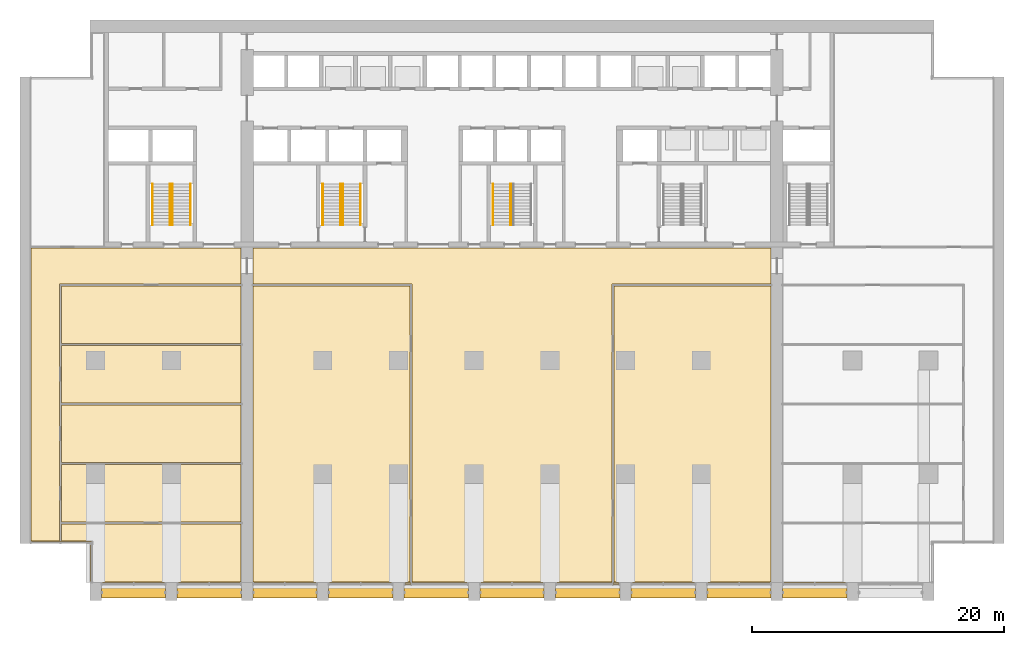
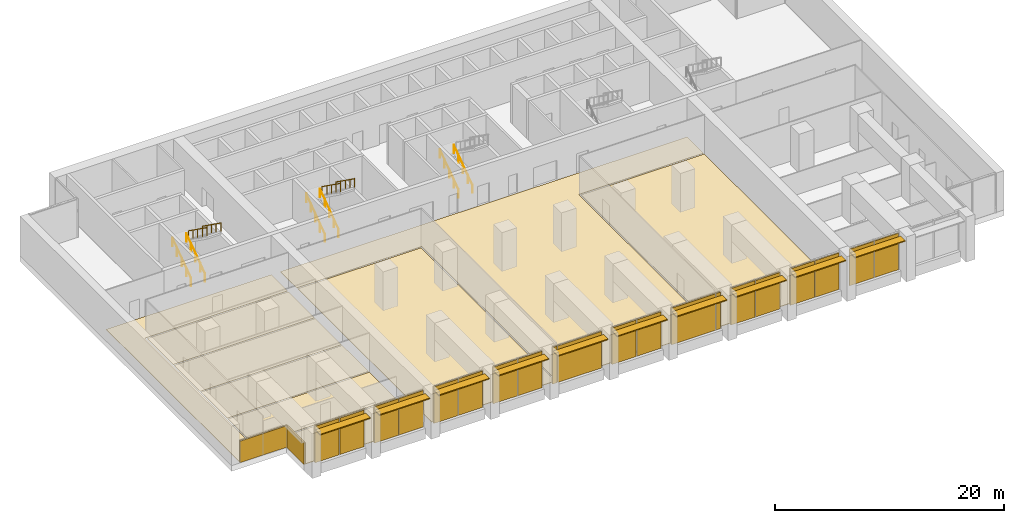
# One storey, part 16 of 18: 32 shading devices, 10 railings, 9 coverings, 15 elements without a shape of their own.
"""IFC4 building model written with IfcOpenShell, lengths in metres."""

from ifc_helpers import new_model, si_unit, direction, frame, origin, origin_2d, place, context, subcontext, project, spatial, polyline, rectangle, circle, outline, extrude, material, layer, layer_set, material_profile, profile_set, type_object, element, aggregate, save


model = new_model("IFC4")

# Units and contexts
model_context = context("Model", 3, precision=1e-05, world=origin(), true_north=direction((0.0, 1.0)))
body_context = subcontext(model_context, "Body", "Model", "MODEL_VIEW")
ifc_project = project(units=[si_unit("LENGTHUNIT", "METRE"), si_unit("AREAUNIT", "SQUARE_METRE"), si_unit("VOLUMEUNIT", "CUBIC_METRE"), si_unit("PLANEANGLEUNIT", "RADIAN"), si_unit("MASSUNIT", "GRAM", prefix="KILO")], contexts=[model_context])

# Site, building, storey
site_placement = place(None, origin())
site = spatial("IfcSite", under=ifc_project, at=site_placement, CompositionType="ELEMENT")
building_placement = place(site_placement, origin())
building = spatial("IfcBuilding", under=site, at=building_placement, Name="Calvaro Tower", CompositionType="ELEMENT")
storey_placement = place(building_placement, frame((0.0, 0.0, 90.0)))
storey = spatial("IfcBuildingStorey", under=building, at=storey_placement, Name="L22", CompositionType="ELEMENT", Elevation=90.0)

# Shading devices
ifc_material_1 = material(Name="Anodised aluminium", Category="aluminium")
ifc_material_profile = material_profile(ifc_material_1, rectangle(XDim=0.800048828125, YDim=0.10009765625, at=origin_2d()), Name="Brise-soleil blade 800 x 100")
ifc_profile_set = profile_set([ifc_material_profile], Name="Anodised aluminium")
shading_device_type_1 = type_object("IfcShadingDeviceType", Name="Brise-soleil blade 800 x 100", PredefinedType="JALOUSIE", material=ifc_profile_set)
for number, where, z_axis, x_axis, name in (
    (1, (6.449951171875, 0.60009765625, 3.64990234375), (1.0, 0.0, 0.0), (0.0, 1.0, 0.0), "Brise-soleil blade 1"),
    (2, (12.449951171875, 0.60009765625, 3.64990234375), (1.0, 0.0, 0.0), (0.0, 1.0, 0.0), "Brise-soleil blade 2"),
    (3, (18.449951171875, 0.60009765625, 3.64990234375), (1.0, 0.0, 0.0), (0.0, 1.0, 0.0), "Brise-soleil blade 3"),
    (4, (24.449951171875, 0.60009765625, 3.64990234375), (1.0, 0.0, 0.0), (0.0, 1.0, 0.0), "Brise-soleil blade 4"),
    (5, (30.449951171875, 0.60009765625, 3.64990234375), (1.0, 0.0, 0.0), (0.0, 1.0, 0.0), "Brise-soleil blade 5"),
    (6, (36.449951171875, 0.60009765625, 3.64990234375), (1.0, 0.0, 0.0), (0.0, 1.0, 0.0), "Brise-soleil blade 6"),
    (7, (42.449951171875, 0.60009765625, 3.64990234375), (1.0, 0.0, 0.0), (0.0, 1.0, 0.0), "Brise-soleil blade 7"),
    (8, (48.449951171875, 0.60009765625, 3.64990234375), (1.0, 0.0, 0.0), (0.0, 1.0, 0.0), "Brise-soleil blade 8"),
    (9, (54.449951171875, 0.60009765625, 3.64990234375), (1.0, 0.0, 0.0), (0.0, 1.0, 0.0), "Brise-soleil blade 9"),
    (10, (60.449951171875, 0.60009765625, 3.64990234375), (1.0, 0.0, 0.0), (0.0, 1.0, 0.0), "Brise-soleil blade 10"),
):
    element("IfcShadingDevice", number, at=place(storey_placement, frame(where, z_axis=z_axis, x_axis=x_axis)), inside=storey, type_object=shading_device_type_1, Name=name, PredefinedType="JALOUSIE", context=body_context, shape_type="SweptSolid", body=[
        extrude(rectangle(XDim=0.800048828125, YDim=0.10009765625, at=origin_2d()), origin(), (0.0, 0.0, 1.0), 5.10009765625),
    ])

# Coverings
ifc_material_2 = material(Name="Cement screed with carpet tile finish")
ifc_layer_1 = layer(ifc_material_2, 0.050048828125)
ifc_layer_set_1 = layer_set([ifc_layer_1], Name="Cement screed with carpet tile finish")
covering_type = type_object("IfcCoveringType", Name="Floor finish 50", PredefinedType="FLOORING", material=ifc_layer_set_1)
covering_1_placement = place(storey_placement, origin())
element("IfcCovering", 11, at=covering_1_placement, inside=storey, type_object=covering_type, Name="Floor finish 15.01", PredefinedType="FLOORING", context=body_context, shape_type="SweptSolid", body=[
    extrude(outline(polyline([(31.070068359375, 1.469970703125), (31.070068359375, 25.070068359375), (18.469970703125, 25.070068359375), (18.469970703125, 27.929931640625), (59.530029296875, 27.929931640625), (59.530029296875, 25.070068359375), (46.929931640625, 25.070068359375), (46.929931640625, 1.469970703125), (31.070068359375, 1.469970703125)])), origin(), (0.0, 0.0, 1.0), 0.050048828125),
])
covering_2_placement = place(storey_placement, origin())
element("IfcCovering", 12, at=covering_2_placement, inside=storey, type_object=covering_type, Name="Floor finish 15.09", PredefinedType="FLOORING", context=body_context, shape_type="SweptSolid", body=[
    extrude(outline(polyline([(18.469970703125, 24.929931640625), (30.929931640625, 24.929931640625), (30.929931640625, 1.469970703125), (18.469970703125, 1.469970703125), (18.469970703125, 24.929931640625)])), origin(), (0.0, 0.0, 1.0), 0.050048828125),
])
covering_3_placement = place(storey_placement, origin())
element("IfcCovering", 13, at=covering_3_placement, inside=storey, type_object=covering_type, Name="Floor finish 15.10", PredefinedType="FLOORING", context=body_context, shape_type="SweptSolid", body=[
    extrude(outline(polyline([(47.070068359375, 24.929931640625), (59.530029296875, 24.929931640625), (59.530029296875, 1.469970703125), (47.070068359375, 1.469970703125), (47.070068359375, 24.929931640625)])), origin(), (0.0, 0.0, 1.0), 0.050048828125),
])
covering_4_placement = place(storey_placement, origin())
element("IfcCovering", 14, at=covering_4_placement, inside=storey, type_object=covering_type, Name="Floor finish 15.02", PredefinedType="FLOORING", context=body_context, shape_type="SweptSolid", body=[
    extrude(outline(polyline([(0.8701171875, 27.929931640625), (17.530029296875, 27.929931640625), (17.530029296875, 25.070068359375), (3.1298828125, 25.070068359375), (3.1298828125, 4.570068359375), (0.8701171875, 4.570068359375), (0.8701171875, 27.929931640625)])), origin(), (0.0, 0.0, 1.0), 0.050048828125),
])
covering_5_placement = place(storey_placement, origin())
element("IfcCovering", 15, at=covering_5_placement, inside=storey, type_object=covering_type, Name="Floor finish 15.04", PredefinedType="FLOORING", context=body_context, shape_type="SweptSolid", body=[
    extrude(outline(polyline([(3.27001953125, 6.050048828125), (17.530029296875, 6.050048828125), (17.530029296875, 1.469970703125), (5.6201171875, 1.469970703125), (5.6201171875, 4.570068359375), (3.27001953125, 4.570068359375), (3.27001953125, 6.050048828125)])), origin(), (0.0, 0.0, 1.0), 0.050048828125),
])
covering_6_placement = place(storey_placement, origin())
element("IfcCovering", 16, at=covering_6_placement, inside=storey, type_object=covering_type, Name="Floor finish 15.06", PredefinedType="FLOORING", context=body_context, shape_type="SweptSolid", body=[
    extrude(outline(polyline([(3.27001953125, 6.18994140625), (3.27001953125, 10.77001953125), (17.530029296875, 10.77001953125), (17.530029296875, 6.18994140625), (3.27001953125, 6.18994140625)])), origin(), (0.0, 0.0, 1.0), 0.050048828125),
])
covering_7_placement = place(storey_placement, origin())
element("IfcCovering", 17, at=covering_7_placement, inside=storey, type_object=covering_type, Name="Floor finish 15.08", PredefinedType="FLOORING", context=body_context, shape_type="SweptSolid", body=[
    extrude(outline(polyline([(3.27001953125, 10.909912109375), (3.27001953125, 15.489990234375), (17.530029296875, 15.489990234375), (17.530029296875, 10.909912109375), (3.27001953125, 10.909912109375)])), origin(), (0.0, 0.0, 1.0), 0.050048828125),
])
covering_8_placement = place(storey_placement, origin())
element("IfcCovering", 18, at=covering_8_placement, inside=storey, type_object=covering_type, Name="Floor finish 15.12", PredefinedType="FLOORING", context=body_context, shape_type="SweptSolid", body=[
    extrude(outline(polyline([(3.27001953125, 15.6298828125), (3.27001953125, 20.2099609375), (17.530029296875, 20.2099609375), (17.530029296875, 15.6298828125), (3.27001953125, 15.6298828125)])), origin(), (0.0, 0.0, 1.0), 0.050048828125),
])
covering_9_placement = place(storey_placement, origin())
element("IfcCovering", 19, at=covering_9_placement, inside=storey, type_object=covering_type, Name="Floor finish 15.14", PredefinedType="FLOORING", context=body_context, shape_type="SweptSolid", body=[
    extrude(outline(polyline([(3.27001953125, 20.35009765625), (3.27001953125, 24.929931640625), (17.530029296875, 24.929931640625), (17.530029296875, 20.35009765625), (3.27001953125, 20.35009765625)])), origin(), (0.0, 0.0, 1.0), 0.050048828125),
])

# Curtain wall, shading devices
ifc_material_3 = material(Name="Anodised aluminium", Category="aluminium")
curtain_wall_type = type_object("IfcCurtainWallType", Name="Louvre wall", PredefinedType="NOTDEFINED", material=ifc_material_3)
curtain_wall_1_placement = place(storey_placement, origin())
curtain_wall_1 = element("IfcCurtainWall", 20, at=curtain_wall_1_placement, inside=storey, type_object=curtain_wall_type, Name="CW8 south louvre wall", PredefinedType="NOTDEFINED")
ifc_material_4 = material(Name="Aluminium", Category="aluminium")
ifc_layer_2 = layer(ifc_material_4, 0.14990234375)
ifc_layer_set_2 = layer_set([ifc_layer_2], Name="Aluminium")
shading_device_type_2 = type_object("IfcShadingDeviceType", Name="Louvre panel LV 150", PredefinedType="JALOUSIE", material=ifc_layer_set_2)
shading_device_1_placement = place(storey_placement, frame((7.7451171875, 1.300048828125, 0.0), z_axis=(0.0, 0.0, 1.0), x_axis=(1.0, 0.0, 0.0)))
shading_device_1 = element("IfcShadingDevice", 21, at=shading_device_1_placement, type_object=shading_device_type_2, Name="CW8 louvre panel 1.1", PredefinedType="JALOUSIE", context=body_context, shape_type="SweptSolid", body=[
    extrude(rectangle(XDim=2.429931640625, YDim=0.14990234375, at=origin_2d()), origin(), (0.0, 0.0, 1.0), 3.89990234375),
])
shading_device_2_placement = place(storey_placement, frame((10.2548828125, 1.300048828125, 0.0), z_axis=(0.0, 0.0, 1.0), x_axis=(1.0, 0.0, 0.0)))
shading_device_2 = element("IfcShadingDevice", 22, at=shading_device_2_placement, type_object=shading_device_type_2, Name="CW8 louvre panel 2.1", PredefinedType="JALOUSIE", context=body_context, shape_type="SweptSolid", body=[
    extrude(rectangle(XDim=2.429931640625, YDim=0.14990234375, at=origin_2d()), origin(), (0.0, 0.0, 1.0), 3.89990234375),
])
aggregate(curtain_wall_1, [shading_device_1, shading_device_2])

curtain_wall_2_placement = place(storey_placement, origin())
curtain_wall_2 = element("IfcCurtainWall", 23, at=curtain_wall_2_placement, inside=storey, type_object=curtain_wall_type, Name="CW8 south louvre wall", PredefinedType="NOTDEFINED")
shading_device_3_placement = place(storey_placement, frame((13.7451171875, 1.300048828125, 0.0), z_axis=(0.0, 0.0, 1.0), x_axis=(1.0, 0.0, 0.0)))
shading_device_3 = element("IfcShadingDevice", 24, at=shading_device_3_placement, type_object=shading_device_type_2, Name="CW8 louvre panel 1.1", PredefinedType="JALOUSIE", context=body_context, shape_type="SweptSolid", body=[
    extrude(rectangle(XDim=2.429931640625, YDim=0.14990234375, at=origin_2d()), origin(), (0.0, 0.0, 1.0), 3.89990234375),
])
shading_device_4_placement = place(storey_placement, frame((16.2548828125, 1.300048828125, 0.0), z_axis=(0.0, 0.0, 1.0), x_axis=(1.0, 0.0, 0.0)))
shading_device_4 = element("IfcShadingDevice", 25, at=shading_device_4_placement, type_object=shading_device_type_2, Name="CW8 louvre panel 2.1", PredefinedType="JALOUSIE", context=body_context, shape_type="SweptSolid", body=[
    extrude(rectangle(XDim=2.429931640625, YDim=0.14990234375, at=origin_2d()), origin(), (0.0, 0.0, 1.0), 3.89990234375),
])
aggregate(curtain_wall_2, [shading_device_3, shading_device_4])

curtain_wall_3_placement = place(storey_placement, origin())
curtain_wall_3 = element("IfcCurtainWall", 26, at=curtain_wall_3_placement, inside=storey, type_object=curtain_wall_type, Name="CW8 south louvre wall", PredefinedType="NOTDEFINED")
shading_device_5_placement = place(storey_placement, frame((19.7451171875, 1.300048828125, 0.0), z_axis=(0.0, 0.0, 1.0), x_axis=(1.0, 0.0, 0.0)))
shading_device_5 = element("IfcShadingDevice", 27, at=shading_device_5_placement, type_object=shading_device_type_2, Name="CW8 louvre panel 1.1", PredefinedType="JALOUSIE", context=body_context, shape_type="SweptSolid", body=[
    extrude(rectangle(XDim=2.429931640625, YDim=0.14990234375, at=origin_2d()), origin(), (0.0, 0.0, 1.0), 3.89990234375),
])
shading_device_6_placement = place(storey_placement, frame((22.2548828125, 1.300048828125, 0.0), z_axis=(0.0, 0.0, 1.0), x_axis=(1.0, 0.0, 0.0)))
shading_device_6 = element("IfcShadingDevice", 28, at=shading_device_6_placement, type_object=shading_device_type_2, Name="CW8 louvre panel 2.1", PredefinedType="JALOUSIE", context=body_context, shape_type="SweptSolid", body=[
    extrude(rectangle(XDim=2.429931640625, YDim=0.14990234375, at=origin_2d()), origin(), (0.0, 0.0, 1.0), 3.89990234375),
])
aggregate(curtain_wall_3, [shading_device_5, shading_device_6])

curtain_wall_4_placement = place(storey_placement, origin())
curtain_wall_4 = element("IfcCurtainWall", 29, at=curtain_wall_4_placement, inside=storey, type_object=curtain_wall_type, Name="CW8 south louvre wall", PredefinedType="NOTDEFINED")
shading_device_7_placement = place(storey_placement, frame((25.7451171875, 1.300048828125, 0.0), z_axis=(0.0, 0.0, 1.0), x_axis=(1.0, 0.0, 0.0)))
shading_device_7 = element("IfcShadingDevice", 30, at=shading_device_7_placement, type_object=shading_device_type_2, Name="CW8 louvre panel 1.1", PredefinedType="JALOUSIE", context=body_context, shape_type="SweptSolid", body=[
    extrude(rectangle(XDim=2.429931640625, YDim=0.14990234375, at=origin_2d()), origin(), (0.0, 0.0, 1.0), 3.89990234375),
])
shading_device_8_placement = place(storey_placement, frame((28.2548828125, 1.300048828125, 0.0), z_axis=(0.0, 0.0, 1.0), x_axis=(1.0, 0.0, 0.0)))
shading_device_8 = element("IfcShadingDevice", 31, at=shading_device_8_placement, type_object=shading_device_type_2, Name="CW8 louvre panel 2.1", PredefinedType="JALOUSIE", context=body_context, shape_type="SweptSolid", body=[
    extrude(rectangle(XDim=2.429931640625, YDim=0.14990234375, at=origin_2d()), origin(), (0.0, 0.0, 1.0), 3.89990234375),
])
aggregate(curtain_wall_4, [shading_device_7, shading_device_8])

curtain_wall_5_placement = place(storey_placement, origin())
curtain_wall_5 = element("IfcCurtainWall", 32, at=curtain_wall_5_placement, inside=storey, type_object=curtain_wall_type, Name="CW8 south louvre wall", PredefinedType="NOTDEFINED")
shading_device_9_placement = place(storey_placement, frame((30.7451171875, 1.300048828125, 0.0), z_axis=(0.0, 0.0, 1.0), x_axis=(1.0, 0.0, 0.0)))
shading_device_9 = element("IfcShadingDevice", 33, at=shading_device_9_placement, type_object=shading_device_type_2, Name="CW8 louvre panel 1.1", PredefinedType="JALOUSIE", context=body_context, shape_type="SweptSolid", body=[
    extrude(rectangle(XDim=0.429931640625, YDim=0.14990234375, at=origin_2d()), origin(), (0.0, 0.0, 1.0), 3.89990234375),
])
shading_device_10_placement = place(storey_placement, frame((33.2548828125, 1.300048828125, 0.0), z_axis=(0.0, 0.0, 1.0), x_axis=(1.0, 0.0, 0.0)))
shading_device_10 = element("IfcShadingDevice", 34, at=shading_device_10_placement, type_object=shading_device_type_2, Name="CW8 louvre panel 2.1", PredefinedType="JALOUSIE", context=body_context, shape_type="SweptSolid", body=[
    extrude(rectangle(XDim=4.429931640625, YDim=0.14990234375, at=origin_2d()), origin(), (0.0, 0.0, 1.0), 3.89990234375),
])
aggregate(curtain_wall_5, [shading_device_9, shading_device_10])

curtain_wall_6_placement = place(storey_placement, origin())
curtain_wall_6 = element("IfcCurtainWall", 35, at=curtain_wall_6_placement, inside=storey, type_object=curtain_wall_type, Name="CW8 south louvre wall", PredefinedType="NOTDEFINED")
shading_device_11_placement = place(storey_placement, frame((37.7451171875, 1.300048828125, 0.0), z_axis=(0.0, 0.0, 1.0), x_axis=(1.0, 0.0, 0.0)))
shading_device_11 = element("IfcShadingDevice", 36, at=shading_device_11_placement, type_object=shading_device_type_2, Name="CW8 louvre panel 1.1", PredefinedType="JALOUSIE", context=body_context, shape_type="SweptSolid", body=[
    extrude(rectangle(XDim=2.429931640625, YDim=0.14990234375, at=origin_2d()), origin(), (0.0, 0.0, 1.0), 3.89990234375),
])
shading_device_12_placement = place(storey_placement, frame((40.2548828125, 1.300048828125, 0.0), z_axis=(0.0, 0.0, 1.0), x_axis=(1.0, 0.0, 0.0)))
shading_device_12 = element("IfcShadingDevice", 37, at=shading_device_12_placement, type_object=shading_device_type_2, Name="CW8 louvre panel 2.1", PredefinedType="JALOUSIE", context=body_context, shape_type="SweptSolid", body=[
    extrude(rectangle(XDim=2.429931640625, YDim=0.14990234375, at=origin_2d()), origin(), (0.0, 0.0, 1.0), 3.89990234375),
])
aggregate(curtain_wall_6, [shading_device_11, shading_device_12])

curtain_wall_7_placement = place(storey_placement, origin())
curtain_wall_7 = element("IfcCurtainWall", 38, at=curtain_wall_7_placement, inside=storey, type_object=curtain_wall_type, Name="CW8 south louvre wall", PredefinedType="NOTDEFINED")
shading_device_13_placement = place(storey_placement, frame((44.7451171875, 1.300048828125, 0.0), z_axis=(0.0, 0.0, 1.0), x_axis=(1.0, 0.0, 0.0)))
shading_device_13 = element("IfcShadingDevice", 39, at=shading_device_13_placement, type_object=shading_device_type_2, Name="CW8 louvre panel 1.1", PredefinedType="JALOUSIE", context=body_context, shape_type="SweptSolid", body=[
    extrude(rectangle(XDim=4.429931640625, YDim=0.14990234375, at=origin_2d()), origin(), (0.0, 0.0, 1.0), 3.89990234375),
])
shading_device_14_placement = place(storey_placement, frame((47.2548828125, 1.300048828125, 0.0), z_axis=(0.0, 0.0, 1.0), x_axis=(1.0, 0.0, 0.0)))
shading_device_14 = element("IfcShadingDevice", 40, at=shading_device_14_placement, type_object=shading_device_type_2, Name="CW8 louvre panel 2.1", PredefinedType="JALOUSIE", context=body_context, shape_type="SweptSolid", body=[
    extrude(rectangle(XDim=0.429931640625, YDim=0.14990234375, at=origin_2d()), origin(), (0.0, 0.0, 1.0), 3.89990234375),
])
aggregate(curtain_wall_7, [shading_device_13, shading_device_14])

curtain_wall_8_placement = place(storey_placement, origin())
curtain_wall_8 = element("IfcCurtainWall", 41, at=curtain_wall_8_placement, inside=storey, type_object=curtain_wall_type, Name="CW8 south louvre wall", PredefinedType="NOTDEFINED")
shading_device_15_placement = place(storey_placement, frame((49.7451171875, 1.300048828125, 0.0), z_axis=(0.0, 0.0, 1.0), x_axis=(1.0, 0.0, 0.0)))
shading_device_15 = element("IfcShadingDevice", 42, at=shading_device_15_placement, type_object=shading_device_type_2, Name="CW8 louvre panel 1.1", PredefinedType="JALOUSIE", context=body_context, shape_type="SweptSolid", body=[
    extrude(rectangle(XDim=2.429931640625, YDim=0.14990234375, at=origin_2d()), origin(), (0.0, 0.0, 1.0), 3.89990234375),
])
shading_device_16_placement = place(storey_placement, frame((52.2548828125, 1.300048828125, 0.0), z_axis=(0.0, 0.0, 1.0), x_axis=(1.0, 0.0, 0.0)))
shading_device_16 = element("IfcShadingDevice", 43, at=shading_device_16_placement, type_object=shading_device_type_2, Name="CW8 louvre panel 2.1", PredefinedType="JALOUSIE", context=body_context, shape_type="SweptSolid", body=[
    extrude(rectangle(XDim=2.429931640625, YDim=0.14990234375, at=origin_2d()), origin(), (0.0, 0.0, 1.0), 3.89990234375),
])
aggregate(curtain_wall_8, [shading_device_15, shading_device_16])

curtain_wall_9_placement = place(storey_placement, origin())
curtain_wall_9 = element("IfcCurtainWall", 44, at=curtain_wall_9_placement, inside=storey, type_object=curtain_wall_type, Name="CW8 south louvre wall", PredefinedType="NOTDEFINED")
shading_device_17_placement = place(storey_placement, frame((55.7451171875, 1.300048828125, 0.0), z_axis=(0.0, 0.0, 1.0), x_axis=(1.0, 0.0, 0.0)))
shading_device_17 = element("IfcShadingDevice", 45, at=shading_device_17_placement, type_object=shading_device_type_2, Name="CW8 louvre panel 1.1", PredefinedType="JALOUSIE", context=body_context, shape_type="SweptSolid", body=[
    extrude(rectangle(XDim=2.429931640625, YDim=0.14990234375, at=origin_2d()), origin(), (0.0, 0.0, 1.0), 3.89990234375),
])
shading_device_18_placement = place(storey_placement, frame((58.2548828125, 1.300048828125, 0.0), z_axis=(0.0, 0.0, 1.0), x_axis=(1.0, 0.0, 0.0)))
shading_device_18 = element("IfcShadingDevice", 46, at=shading_device_18_placement, type_object=shading_device_type_2, Name="CW8 louvre panel 2.1", PredefinedType="JALOUSIE", context=body_context, shape_type="SweptSolid", body=[
    extrude(rectangle(XDim=2.429931640625, YDim=0.14990234375, at=origin_2d()), origin(), (0.0, 0.0, 1.0), 3.89990234375),
])
aggregate(curtain_wall_9, [shading_device_17, shading_device_18])

curtain_wall_10_placement = place(storey_placement, origin())
curtain_wall_10 = element("IfcCurtainWall", 47, at=curtain_wall_10_placement, inside=storey, type_object=curtain_wall_type, Name="CW8 south louvre wall", PredefinedType="NOTDEFINED")
shading_device_19_placement = place(storey_placement, frame((61.7451171875, 1.300048828125, 0.0), z_axis=(0.0, 0.0, 1.0), x_axis=(1.0, 0.0, 0.0)))
shading_device_19 = element("IfcShadingDevice", 48, at=shading_device_19_placement, type_object=shading_device_type_2, Name="CW8 louvre panel 1.1", PredefinedType="JALOUSIE", context=body_context, shape_type="SweptSolid", body=[
    extrude(rectangle(XDim=2.429931640625, YDim=0.14990234375, at=origin_2d()), origin(), (0.0, 0.0, 1.0), 3.89990234375),
])
shading_device_20_placement = place(storey_placement, frame((64.2548828125, 1.300048828125, 0.0), z_axis=(0.0, 0.0, 1.0), x_axis=(1.0, 0.0, 0.0)))
shading_device_20 = element("IfcShadingDevice", 49, at=shading_device_20_placement, type_object=shading_device_type_2, Name="CW8 louvre panel 2.1", PredefinedType="JALOUSIE", context=body_context, shape_type="SweptSolid", body=[
    extrude(rectangle(XDim=2.429931640625, YDim=0.14990234375, at=origin_2d()), origin(), (0.0, 0.0, 1.0), 3.89990234375),
])
aggregate(curtain_wall_10, [shading_device_19, shading_device_20])

# Curtain wall, shading device
curtain_wall_11_placement = place(storey_placement, origin())
curtain_wall_11 = element("IfcCurtainWall", 50, at=curtain_wall_11_placement, inside=storey, type_object=curtain_wall_type, Name="CW8 corner curtain wall", PredefinedType="NOTDEFINED")
shading_device_21_placement = place(storey_placement, frame((5.64990234375, 2.949951171875, 0.0), z_axis=(0.0, 0.0, 1.0), x_axis=(0.0, 1.0, 0.0)))
shading_device_21 = element("IfcShadingDevice", 51, at=shading_device_21_placement, type_object=shading_device_type_2, Name="CW8 louvre panel 1.1", PredefinedType="JALOUSIE", context=body_context, shape_type="SweptSolid", body=[
    extrude(rectangle(XDim=2.93994140625, YDim=0.14990234375, at=origin_2d()), origin(), (0.0, 0.0, 1.0), 2.299072265625),
])
aggregate(curtain_wall_11, [shading_device_21])

curtain_wall_12_placement = place(storey_placement, origin())
curtain_wall_12 = element("IfcCurtainWall", 52, at=curtain_wall_12_placement, inside=storey, type_object=curtain_wall_type, Name="CW8 corner curtain wall", PredefinedType="NOTDEFINED")
shading_device_22_placement = place(storey_placement, frame((3.27490234375, 4.60009765625, 0.0), z_axis=(0.0, 0.0, 1.0), x_axis=(1.0, 0.0, 0.0)))
shading_device_22 = element("IfcShadingDevice", 53, at=shading_device_22_placement, type_object=shading_device_type_2, Name="CW8 louvre panel 1.1", PredefinedType="JALOUSIE", context=body_context, shape_type="SweptSolid", body=[
    extrude(rectangle(XDim=4.7900390625, YDim=0.14990234375, at=origin_2d()), origin(), (0.0, 0.0, 1.0), 2.299072265625),
])
aggregate(curtain_wall_12, [shading_device_22])

# Stair, railings
ifc_material_5 = material(Name="Concrete C40/50", Category="concrete")
stair_type = type_object("IfcStairType", Name="Exit stair 1400 2 flights", PredefinedType="HALF_TURN_STAIR", material=ifc_material_5)
stair_1_placement = place(storey_placement, origin())
stair_1 = element("IfcStair", 54, at=stair_1_placement, inside=storey, type_object=stair_type, Name="Exit stair S1", PredefinedType="HALF_TURN_STAIR")
ifc_material_6 = material(Name="Stainless steel", Category="steel")
railing_type = type_object("IfcRailingType", Name="Stair handrail", PredefinedType="HANDRAIL", material=ifc_material_6)
railing_1_placement = place(storey_placement, frame((11.89990234375, 29.75, 0.178466796875)))
railing_1 = element("IfcRailing", 55, at=railing_1_placement, type_object=railing_type, Name="Exit stair 1 handrail", PredefinedType="HANDRAIL", context=body_context, shape_type="SweptSolid", body=[
    extrude(circle(Radius=0.02392578125, at=origin_2d()), frame((0.0, 0.0, 0.8759765625), z_axis=(0.0, 0.813721080437, 0.581255540405), x_axis=(-1.0, 0.0, 0.0)), (0.0, 0.0, 1.0), 3.993896484375),
    extrude(circle(Radius=0.02099609375, at=origin_2d()), frame((0.0, 0.01708984375, 0.01220703125)), (0.0, 0.0, 1.0), 0.851806640625),
    extrude(circle(Radius=0.02099609375, at=origin_2d()), frame((0.0, 0.8125, 0.580322265625)), (0.0, 0.0, 1.0), 0.851806640625),
    extrude(circle(Radius=0.02099609375, at=origin_2d()), frame((0.0, 1.625, 1.16064453125)), (0.0, 0.0, 1.0), 0.851806640625),
    extrude(circle(Radius=0.02099609375, at=origin_2d()), frame((0.0, 2.4375, 1.7412109375)), (0.0, 0.0, 1.0), 0.851806640625),
    extrude(circle(Radius=0.02099609375, at=origin_2d()), frame((0.0, 3.23291015625, 2.309326171875)), (0.0, 0.0, 1.0), 0.851806640625),
])
railing_2_placement = place(storey_placement, frame((10.5, 29.75, 0.178466796875)))
railing_2 = element("IfcRailing", 56, at=railing_2_placement, type_object=railing_type, Name="Exit stair 1 handrail", PredefinedType="HANDRAIL", context=body_context, shape_type="SweptSolid", body=[
    extrude(circle(Radius=0.02392578125, at=origin_2d()), frame((0.0, 0.0, 0.8759765625), z_axis=(0.0, 0.813721080437, 0.581255540405), x_axis=(-1.0, 0.0, 0.0)), (0.0, 0.0, 1.0), 3.993896484375),
    extrude(circle(Radius=0.02099609375, at=origin_2d()), frame((0.0, 0.01708984375, 0.01220703125)), (0.0, 0.0, 1.0), 0.851806640625),
    extrude(circle(Radius=0.02099609375, at=origin_2d()), frame((0.0, 0.8125, 0.580322265625)), (0.0, 0.0, 1.0), 0.851806640625),
    extrude(circle(Radius=0.02099609375, at=origin_2d()), frame((0.0, 1.625, 1.16064453125)), (0.0, 0.0, 1.0), 0.851806640625),
    extrude(circle(Radius=0.02099609375, at=origin_2d()), frame((0.0, 2.4375, 1.7412109375)), (0.0, 0.0, 1.0), 0.851806640625),
    extrude(circle(Radius=0.02099609375, at=origin_2d()), frame((0.0, 3.23291015625, 2.309326171875)), (0.0, 0.0, 1.0), 0.851806640625),
])
railing_3_placement = place(storey_placement, frame((12.10009765625, 33.0, 2.678466796875)))
railing_3 = element("IfcRailing", 57, at=railing_3_placement, type_object=railing_type, Name="Exit stair 1 handrail", PredefinedType="HANDRAIL", context=body_context, shape_type="SweptSolid", body=[
    extrude(circle(Radius=0.02392578125, at=origin_2d()), frame((0.0, 0.0, 0.8759765625), z_axis=(0.0, -0.813721080437, 0.581255540405), x_axis=(1.0, 0.0, 0.0)), (0.0, 0.0, 1.0), 3.993896484375),
    extrude(circle(Radius=0.02099609375, at=origin_2d()), frame((0.0, -0.01708984375, 0.01220703125)), (0.0, 0.0, 1.0), 0.851806640625),
    extrude(circle(Radius=0.02099609375, at=origin_2d()), frame((0.0, -0.8125, 0.580322265625)), (0.0, 0.0, 1.0), 0.851806640625),
    extrude(circle(Radius=0.02099609375, at=origin_2d()), frame((0.0, -1.625, 1.16064453125)), (0.0, 0.0, 1.0), 0.851806640625),
    extrude(circle(Radius=0.02099609375, at=origin_2d()), frame((0.0, -2.4375, 1.7412109375)), (0.0, 0.0, 1.0), 0.851806640625),
    extrude(circle(Radius=0.02099609375, at=origin_2d()), frame((0.0, -3.23291015625, 2.309326171875)), (0.0, 0.0, 1.0), 0.851806640625),
])
railing_4_placement = place(storey_placement, frame((13.5, 33.0, 2.678466796875)))
railing_4 = element("IfcRailing", 58, at=railing_4_placement, type_object=railing_type, Name="Exit stair 1 handrail", PredefinedType="HANDRAIL", context=body_context, shape_type="SweptSolid", body=[
    extrude(circle(Radius=0.02392578125, at=origin_2d()), frame((0.0, 0.0, 0.8759765625), z_axis=(0.0, -0.813721080437, 0.581255540405), x_axis=(1.0, 0.0, 0.0)), (0.0, 0.0, 1.0), 3.993896484375),
    extrude(circle(Radius=0.02099609375, at=origin_2d()), frame((0.0, -0.01708984375, 0.01220703125)), (0.0, 0.0, 1.0), 0.851806640625),
    extrude(circle(Radius=0.02099609375, at=origin_2d()), frame((0.0, -0.8125, 0.580322265625)), (0.0, 0.0, 1.0), 0.851806640625),
    extrude(circle(Radius=0.02099609375, at=origin_2d()), frame((0.0, -1.625, 1.16064453125)), (0.0, 0.0, 1.0), 0.851806640625),
    extrude(circle(Radius=0.02099609375, at=origin_2d()), frame((0.0, -2.4375, 1.7412109375)), (0.0, 0.0, 1.0), 0.851806640625),
    extrude(circle(Radius=0.02099609375, at=origin_2d()), frame((0.0, -3.23291015625, 2.309326171875)), (0.0, 0.0, 1.0), 0.851806640625),
])
aggregate(stair_1, [railing_1, railing_2, railing_3, railing_4])

stair_2_placement = place(storey_placement, origin())
stair_2 = element("IfcStair", 59, at=stair_2_placement, inside=storey, type_object=stair_type, Name="Exit stair S2", PredefinedType="HALF_TURN_STAIR")
railing_5_placement = place(storey_placement, frame((25.39990234375, 29.75, 0.178466796875)))
railing_5 = element("IfcRailing", 60, at=railing_5_placement, type_object=railing_type, Name="Exit stair 2 handrail", PredefinedType="HANDRAIL", context=body_context, shape_type="SweptSolid", body=[
    extrude(circle(Radius=0.02392578125, at=origin_2d()), frame((0.0, 0.0, 0.8759765625), z_axis=(0.0, 0.813721080437, 0.581255540405), x_axis=(-1.0, 0.0, 0.0)), (0.0, 0.0, 1.0), 3.993896484375),
    extrude(circle(Radius=0.02099609375, at=origin_2d()), frame((0.0, 0.01708984375, 0.01220703125)), (0.0, 0.0, 1.0), 0.851806640625),
    extrude(circle(Radius=0.02099609375, at=origin_2d()), frame((0.0, 0.8125, 0.580322265625)), (0.0, 0.0, 1.0), 0.851806640625),
    extrude(circle(Radius=0.02099609375, at=origin_2d()), frame((0.0, 1.625, 1.16064453125)), (0.0, 0.0, 1.0), 0.851806640625),
    extrude(circle(Radius=0.02099609375, at=origin_2d()), frame((0.0, 2.4375, 1.7412109375)), (0.0, 0.0, 1.0), 0.851806640625),
    extrude(circle(Radius=0.02099609375, at=origin_2d()), frame((0.0, 3.23291015625, 2.309326171875)), (0.0, 0.0, 1.0), 0.851806640625),
])
railing_6_placement = place(storey_placement, frame((24.0, 29.75, 0.178466796875)))
railing_6 = element("IfcRailing", 61, at=railing_6_placement, type_object=railing_type, Name="Exit stair 2 handrail", PredefinedType="HANDRAIL", context=body_context, shape_type="SweptSolid", body=[
    extrude(circle(Radius=0.02392578125, at=origin_2d()), frame((0.0, 0.0, 0.8759765625), z_axis=(0.0, 0.813721080437, 0.581255540405), x_axis=(-1.0, 0.0, 0.0)), (0.0, 0.0, 1.0), 3.993896484375),
    extrude(circle(Radius=0.02099609375, at=origin_2d()), frame((0.0, 0.01708984375, 0.01220703125)), (0.0, 0.0, 1.0), 0.851806640625),
    extrude(circle(Radius=0.02099609375, at=origin_2d()), frame((0.0, 0.8125, 0.580322265625)), (0.0, 0.0, 1.0), 0.851806640625),
    extrude(circle(Radius=0.02099609375, at=origin_2d()), frame((0.0, 1.625, 1.16064453125)), (0.0, 0.0, 1.0), 0.851806640625),
    extrude(circle(Radius=0.02099609375, at=origin_2d()), frame((0.0, 2.4375, 1.7412109375)), (0.0, 0.0, 1.0), 0.851806640625),
    extrude(circle(Radius=0.02099609375, at=origin_2d()), frame((0.0, 3.23291015625, 2.309326171875)), (0.0, 0.0, 1.0), 0.851806640625),
])
railing_7_placement = place(storey_placement, frame((25.60009765625, 33.0, 2.678466796875)))
railing_7 = element("IfcRailing", 62, at=railing_7_placement, type_object=railing_type, Name="Exit stair 2 handrail", PredefinedType="HANDRAIL", context=body_context, shape_type="SweptSolid", body=[
    extrude(circle(Radius=0.02392578125, at=origin_2d()), frame((0.0, 0.0, 0.8759765625), z_axis=(0.0, -0.813721080437, 0.581255540405), x_axis=(1.0, 0.0, 0.0)), (0.0, 0.0, 1.0), 3.993896484375),
    extrude(circle(Radius=0.02099609375, at=origin_2d()), frame((0.0, -0.01708984375, 0.01220703125)), (0.0, 0.0, 1.0), 0.851806640625),
    extrude(circle(Radius=0.02099609375, at=origin_2d()), frame((0.0, -0.8125, 0.580322265625)), (0.0, 0.0, 1.0), 0.851806640625),
    extrude(circle(Radius=0.02099609375, at=origin_2d()), frame((0.0, -1.625, 1.16064453125)), (0.0, 0.0, 1.0), 0.851806640625),
    extrude(circle(Radius=0.02099609375, at=origin_2d()), frame((0.0, -2.4375, 1.7412109375)), (0.0, 0.0, 1.0), 0.851806640625),
    extrude(circle(Radius=0.02099609375, at=origin_2d()), frame((0.0, -3.23291015625, 2.309326171875)), (0.0, 0.0, 1.0), 0.851806640625),
])
railing_8_placement = place(storey_placement, frame((27.0, 33.0, 2.678466796875)))
railing_8 = element("IfcRailing", 63, at=railing_8_placement, type_object=railing_type, Name="Exit stair 2 handrail", PredefinedType="HANDRAIL", context=body_context, shape_type="SweptSolid", body=[
    extrude(circle(Radius=0.02392578125, at=origin_2d()), frame((0.0, 0.0, 0.8759765625), z_axis=(0.0, -0.813721080437, 0.581255540405), x_axis=(1.0, 0.0, 0.0)), (0.0, 0.0, 1.0), 3.993896484375),
    extrude(circle(Radius=0.02099609375, at=origin_2d()), frame((0.0, -0.01708984375, 0.01220703125)), (0.0, 0.0, 1.0), 0.851806640625),
    extrude(circle(Radius=0.02099609375, at=origin_2d()), frame((0.0, -0.8125, 0.580322265625)), (0.0, 0.0, 1.0), 0.851806640625),
    extrude(circle(Radius=0.02099609375, at=origin_2d()), frame((0.0, -1.625, 1.16064453125)), (0.0, 0.0, 1.0), 0.851806640625),
    extrude(circle(Radius=0.02099609375, at=origin_2d()), frame((0.0, -2.4375, 1.7412109375)), (0.0, 0.0, 1.0), 0.851806640625),
    extrude(circle(Radius=0.02099609375, at=origin_2d()), frame((0.0, -3.23291015625, 2.309326171875)), (0.0, 0.0, 1.0), 0.851806640625),
])
aggregate(stair_2, [railing_5, railing_6, railing_7, railing_8])

stair_3_placement = place(storey_placement, origin())
stair_3 = element("IfcStair", 64, at=stair_3_placement, inside=storey, type_object=stair_type, Name="Exit stair S3", PredefinedType="HALF_TURN_STAIR")
railing_9_placement = place(storey_placement, frame((38.89990234375, 29.75, 0.178466796875)))
railing_9 = element("IfcRailing", 65, at=railing_9_placement, type_object=railing_type, Name="Exit stair 3 handrail", PredefinedType="HANDRAIL", context=body_context, shape_type="SweptSolid", body=[
    extrude(circle(Radius=0.02392578125, at=origin_2d()), frame((0.0, 0.0, 0.8759765625), z_axis=(0.0, 0.813721080437, 0.581255540405), x_axis=(-1.0, 0.0, 0.0)), (0.0, 0.0, 1.0), 3.993896484375),
    extrude(circle(Radius=0.02099609375, at=origin_2d()), frame((0.0, 0.01708984375, 0.01220703125)), (0.0, 0.0, 1.0), 0.851806640625),
    extrude(circle(Radius=0.02099609375, at=origin_2d()), frame((0.0, 0.8125, 0.580322265625)), (0.0, 0.0, 1.0), 0.851806640625),
    extrude(circle(Radius=0.02099609375, at=origin_2d()), frame((0.0, 1.625, 1.16064453125)), (0.0, 0.0, 1.0), 0.851806640625),
    extrude(circle(Radius=0.02099609375, at=origin_2d()), frame((0.0, 2.4375, 1.7412109375)), (0.0, 0.0, 1.0), 0.851806640625),
    extrude(circle(Radius=0.02099609375, at=origin_2d()), frame((0.0, 3.23291015625, 2.309326171875)), (0.0, 0.0, 1.0), 0.851806640625),
])
railing_10_placement = place(storey_placement, frame((37.5, 29.75, 0.178466796875)))
railing_10 = element("IfcRailing", 66, at=railing_10_placement, type_object=railing_type, Name="Exit stair 3 handrail", PredefinedType="HANDRAIL", context=body_context, shape_type="SweptSolid", body=[
    extrude(circle(Radius=0.02392578125, at=origin_2d()), frame((0.0, 0.0, 0.8759765625), z_axis=(0.0, 0.813721080437, 0.581255540405), x_axis=(-1.0, 0.0, 0.0)), (0.0, 0.0, 1.0), 3.993896484375),
    extrude(circle(Radius=0.02099609375, at=origin_2d()), frame((0.0, 0.01708984375, 0.01220703125)), (0.0, 0.0, 1.0), 0.851806640625),
    extrude(circle(Radius=0.02099609375, at=origin_2d()), frame((0.0, 0.8125, 0.580322265625)), (0.0, 0.0, 1.0), 0.851806640625),
    extrude(circle(Radius=0.02099609375, at=origin_2d()), frame((0.0, 1.625, 1.16064453125)), (0.0, 0.0, 1.0), 0.851806640625),
    extrude(circle(Radius=0.02099609375, at=origin_2d()), frame((0.0, 2.4375, 1.7412109375)), (0.0, 0.0, 1.0), 0.851806640625),
    extrude(circle(Radius=0.02099609375, at=origin_2d()), frame((0.0, 3.23291015625, 2.309326171875)), (0.0, 0.0, 1.0), 0.851806640625),
])
aggregate(stair_3, [railing_9, railing_10])

save(model, "model.ifc")
